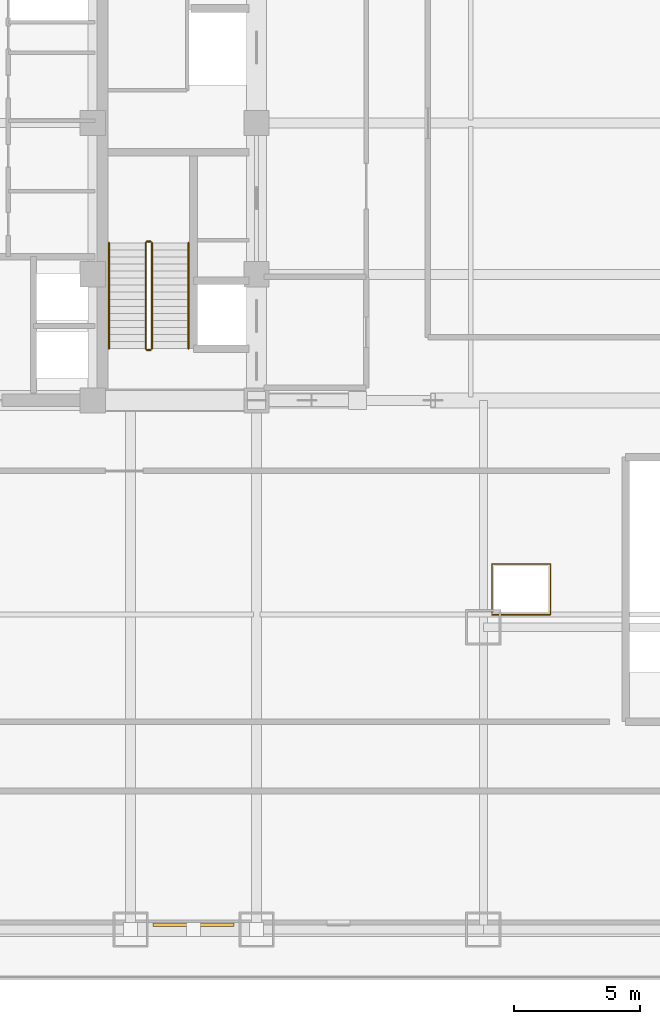
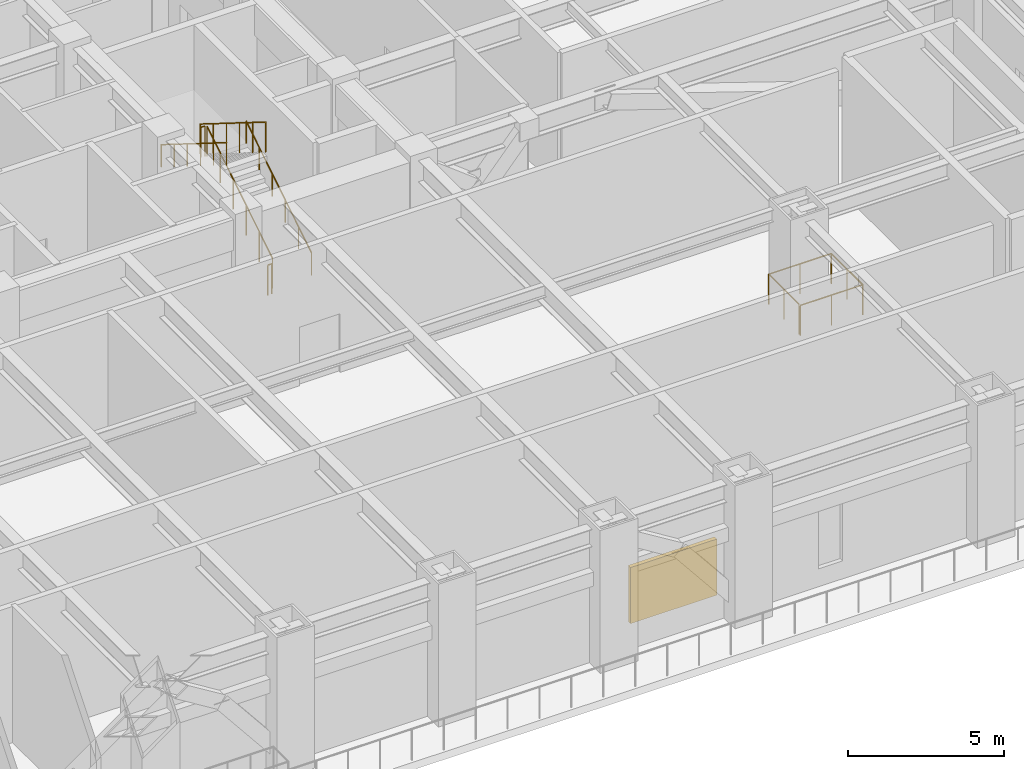
# One storey, part 18 of 21: 7 railings, 1 shading device.
"""IFC4 building model written with IfcOpenShell, lengths in metres."""

from ifc_helpers import new_model, si_unit, direction, frame, origin, origin_2d, place, context, subcontext, project, spatial, rectangle, circle, extrude, source, transform, mapped, material, layer, layer_set, type_object, element, save


model = new_model("IFC4")

# Units and contexts
model_context = context("Model", 3, precision=1e-05, world=origin(), true_north=direction((0.0, 1.0)))
body_context = subcontext(model_context, "Body", "Model", "MODEL_VIEW")
ifc_project = project(units=[si_unit("LENGTHUNIT", "METRE"), si_unit("AREAUNIT", "SQUARE_METRE"), si_unit("VOLUMEUNIT", "CUBIC_METRE"), si_unit("PLANEANGLEUNIT", "RADIAN"), si_unit("MASSUNIT", "GRAM", prefix="KILO")], contexts=[model_context])

# Site, building, storey
site_placement = place(None, origin())
site = spatial("IfcSite", under=ifc_project, at=site_placement, CompositionType="ELEMENT")
building_placement = place(site_placement, origin())
building = spatial("IfcBuilding", under=site, at=building_placement, Name="Khorayat Bourse Tower", CompositionType="ELEMENT")
storey_placement = place(building_placement, frame((0.0, 0.0, 27.0)))
storey = spatial("IfcBuildingStorey", under=building, at=storey_placement, Name="L05", CompositionType="ELEMENT", Elevation=27.0)

# Shading device
ifc_material_1 = material(Name="Anodised champagne aluminium", Category="aluminium")
ifc_layer = layer(ifc_material_1, 0.14990234375)
ifc_layer_set = layer_set([ifc_layer], Name="Anodised champagne aluminium")
shading_device_type = type_object("IfcShadingDeviceType", Name="SHD-PLANT-LOUVRE", PredefinedType="JALOUSIE", material=ifc_layer_set)
shared_shape_1 = source(origin(), body_context, "Body", "SweptSolid", [
    extrude(rectangle(XDim=3.199951171875, YDim=0.14990234375, at=origin_2d()), origin(), (0.0, 0.0, 1.0), 2.199951171875),
])
shading_device_placement = place(storey_placement, frame((8.5, -31.81005859375, 0.89990234375), z_axis=(0.0, 0.0, 1.0), x_axis=(1.0, 0.0, 0.0)))
element("IfcShadingDevice", 1, at=shading_device_placement, inside=storey, type_object=shading_device_type, Name="L05 Acoustic Plant Intake Louvre S-2", PredefinedType="JALOUSIE", context=body_context, shape_type="MappedRepresentation", body=[
    mapped(shared_shape_1, transform((0.0, 0.0, 0.0), scale=1.0)),
])

# Railings
ifc_material_2 = material(Name="Powder-coated steel balustrade", Category="steel")
railing_type_1 = type_object("IfcRailingType", Name="RLG-GUARD-1200", PredefinedType="GUARDRAIL", material=ifc_material_2)
shared_shape_2 = source(origin(), body_context, "Body", "SweptSolid", [
    extrude(circle(Radius=0.02392578125, at=origin_2d()), frame((0.0, 0.0, 1.17578125), z_axis=(-1.0, 0.0, 0.0), x_axis=(0.0, -1.0, 0.0)), (0.0, 0.0, 1.0), 0.150146484375),
    extrude(circle(Radius=0.02099609375, at=origin_2d()), origin(), (0.0, 0.0, 1.0), 1.15185546875),
    extrude(circle(Radius=0.02099609375, at=origin_2d()), frame((-0.150146484375, 0.0, 0.0)), (0.0, 0.0, 1.0), 1.15185546875),
])
for number, where, name in (
    (2, (6.800048828125, -4.699951171875, 2.800048828125), "L05 ST-3 stair guard 2"),
    (3, (6.800048828125, -9.0, 0.0), "L05 ST-3 stair guard 4"),
):
    element("IfcRailing", number, at=place(storey_placement, frame(where)), inside=storey, type_object=railing_type_1, Name=name, PredefinedType="GUARDRAIL", context=body_context, shape_type="MappedRepresentation", body=[
        mapped(shared_shape_2, transform((0.0, 0.0, 0.0), scale=1.0)),
    ])
shared_shape_3 = source(origin(), body_context, "Body", "SweptSolid", [
    extrude(circle(Radius=0.02392578125, at=origin_2d()), frame((0.0, 0.0, 1.17578125), z_axis=(0.0, 0.847995534698, 0.530003370869), x_axis=(-1.0, 0.0, 0.0)), (0.0, 0.0, 1.0), 4.952880859375),
    extrude(circle(Radius=0.02099609375, at=origin_2d()), origin(), (0.0, 0.0, 1.0), 1.15185546875),
    extrude(circle(Radius=0.02099609375, at=origin_2d()), frame((0.0, 0.840087890625, 0.52490234375)), (0.0, 0.0, 1.0), 1.15185546875),
    extrude(circle(Radius=0.02099609375, at=origin_2d()), frame((0.0, 1.679931640625, 1.050048828125)), (0.0, 0.0, 1.0), 1.15185546875),
    extrude(circle(Radius=0.02099609375, at=origin_2d()), frame((0.0, 2.52001953125, 1.574951171875)), (0.0, 0.0, 1.0), 1.15185546875),
    extrude(circle(Radius=0.02099609375, at=origin_2d()), frame((0.0, 3.35986328125, 2.10009765625)), (0.0, 0.0, 1.0), 1.15185546875),
    extrude(circle(Radius=0.02099609375, at=origin_2d()), frame((0.0, 4.199951171875, 2.625)), (0.0, 0.0, 1.0), 1.15185546875),
])
railing_1_placement = place(storey_placement, frame((6.85009765625, -8.949951171875, 0.175048828125)))
element("IfcRailing", 4, at=railing_1_placement, inside=storey, type_object=railing_type_1, Name="L05 ST-3 stair guard 1", PredefinedType="GUARDRAIL", context=body_context, shape_type="MappedRepresentation", body=[
    mapped(shared_shape_3, transform((0.0, 0.0, 0.0), scale=1.0)),
])
shared_shape_4 = source(origin(), body_context, "Body", "SweptSolid", [
    extrude(circle(Radius=0.02392578125, at=origin_2d()), frame((0.0, 0.0, 1.17578125), z_axis=(0.0, -0.847995534698, 0.530003370869), x_axis=(1.0, 0.0, 0.0)), (0.0, 0.0, 1.0), 4.952880859375),
    extrude(circle(Radius=0.02099609375, at=origin_2d()), origin(), (0.0, 0.0, 1.0), 1.15185546875),
    extrude(circle(Radius=0.02099609375, at=origin_2d()), frame((0.0, -0.840087890625, 0.52490234375)), (0.0, 0.0, 1.0), 1.15185546875),
    extrude(circle(Radius=0.02099609375, at=origin_2d()), frame((0.0, -1.679931640625, 1.050048828125)), (0.0, 0.0, 1.0), 1.15185546875),
    extrude(circle(Radius=0.02099609375, at=origin_2d()), frame((0.0, -2.52001953125, 1.574951171875)), (0.0, 0.0, 1.0), 1.15185546875),
    extrude(circle(Radius=0.02099609375, at=origin_2d()), frame((0.0, -3.35986328125, 2.10009765625)), (0.0, 0.0, 1.0), 1.15185546875),
    extrude(circle(Radius=0.02099609375, at=origin_2d()), frame((0.0, -4.199951171875, 2.625)), (0.0, 0.0, 1.0), 1.15185546875),
])
railing_2_placement = place(storey_placement, frame((6.60009765625, -4.75, 2.97509765625)))
element("IfcRailing", 5, at=railing_2_placement, inside=storey, type_object=railing_type_1, Name="L05 ST-3 stair guard 3", PredefinedType="GUARDRAIL", context=body_context, shape_type="MappedRepresentation", body=[
    mapped(shared_shape_4, transform((0.0, 0.0, 0.0), scale=1.0)),
])
ifc_material_3 = material(Name="Brushed bronze stainless-steel handrail", Category="steel")
railing_type_2 = type_object("IfcRailingType", Name="RLG-HAND-900", PredefinedType="HANDRAIL", material=ifc_material_3)
shared_shape_5 = source(origin(), body_context, "Body", "SweptSolid", [
    extrude(circle(Radius=0.02392578125, at=origin_2d()), frame((0.0, 0.0, 0.8759765625), z_axis=(0.0, 0.847995534698, 0.530003370869), x_axis=(-1.0, 0.0, 0.0)), (0.0, 0.0, 1.0), 4.952880859375),
    extrude(circle(Radius=0.02099609375, at=origin_2d()), origin(), (0.0, 0.0, 1.0), 0.851806640625),
    extrude(circle(Radius=0.02099609375, at=origin_2d()), frame((0.0, 0.840087890625, 0.52490234375)), (0.0, 0.0, 1.0), 0.851806640625),
    extrude(circle(Radius=0.02099609375, at=origin_2d()), frame((0.0, 1.679931640625, 1.050048828125)), (0.0, 0.0, 1.0), 0.851806640625),
    extrude(circle(Radius=0.02099609375, at=origin_2d()), frame((0.0, 2.52001953125, 1.574951171875)), (0.0, 0.0, 1.0), 0.851806640625),
    extrude(circle(Radius=0.02099609375, at=origin_2d()), frame((0.0, 3.35986328125, 2.10009765625)), (0.0, 0.0, 1.0), 0.851806640625),
    extrude(circle(Radius=0.02099609375, at=origin_2d()), frame((0.0, 4.199951171875, 2.625)), (0.0, 0.0, 1.0), 0.851806640625),
])
railing_3_placement = place(storey_placement, frame((8.300048828125, -8.949951171875, 0.175048828125)))
element("IfcRailing", 6, at=railing_3_placement, inside=storey, type_object=railing_type_2, Name="L05 ST-3 stair handrail 1", PredefinedType="HANDRAIL", context=body_context, shape_type="MappedRepresentation", body=[
    mapped(shared_shape_5, transform((0.0, 0.0, 0.0), scale=1.0)),
])
shared_shape_6 = source(origin(), body_context, "Body", "SweptSolid", [
    extrude(circle(Radius=0.02392578125, at=origin_2d()), frame((0.0, 0.0, 0.8759765625), z_axis=(0.0, -0.847995534698, 0.530003370869), x_axis=(1.0, 0.0, 0.0)), (0.0, 0.0, 1.0), 4.952880859375),
    extrude(circle(Radius=0.02099609375, at=origin_2d()), origin(), (0.0, 0.0, 1.0), 0.851806640625),
    extrude(circle(Radius=0.02099609375, at=origin_2d()), frame((0.0, -0.840087890625, 0.52490234375)), (0.0, 0.0, 1.0), 0.851806640625),
    extrude(circle(Radius=0.02099609375, at=origin_2d()), frame((0.0, -1.679931640625, 1.050048828125)), (0.0, 0.0, 1.0), 0.851806640625),
    extrude(circle(Radius=0.02099609375, at=origin_2d()), frame((0.0, -2.52001953125, 1.574951171875)), (0.0, 0.0, 1.0), 0.851806640625),
    extrude(circle(Radius=0.02099609375, at=origin_2d()), frame((0.0, -3.35986328125, 2.10009765625)), (0.0, 0.0, 1.0), 0.851806640625),
    extrude(circle(Radius=0.02099609375, at=origin_2d()), frame((0.0, -4.199951171875, 2.625)), (0.0, 0.0, 1.0), 0.851806640625),
])
railing_4_placement = place(storey_placement, frame((5.14990234375, -4.75, 2.97509765625)))
element("IfcRailing", 7, at=railing_4_placement, inside=storey, type_object=railing_type_2, Name="L05 ST-3 stair handrail 2", PredefinedType="HANDRAIL", context=body_context, shape_type="MappedRepresentation", body=[
    mapped(shared_shape_6, transform((0.0, 0.0, 0.0), scale=1.0)),
])
shared_shape_7 = source(origin(), body_context, "Body", "SweptSolid", [
    extrude(circle(Radius=0.02392578125, at=origin_2d()), frame((0.0, 0.0, 1.17578125), z_axis=(1.0, 0.0, 0.0), x_axis=(0.0, 1.0, 0.0)), (0.0, 0.0, 1.0), 2.31982421875),
    extrude(circle(Radius=0.02392578125, at=origin_2d()), frame((2.31982421875, 0.0, 1.17578125), z_axis=(0.0, 1.0, 0.0), x_axis=(-1.0, 0.0, 0.0)), (0.0, 0.0, 1.0), 2.02001953125),
    extrude(circle(Radius=0.02392578125, at=origin_2d()), frame((2.31982421875, 2.02001953125, 1.17578125), z_axis=(-1.0, 0.0, 0.0), x_axis=(0.0, -1.0, 0.0)), (0.0, 0.0, 1.0), 2.31982421875),
    extrude(circle(Radius=0.02392578125, at=origin_2d()), frame((0.0, 2.02001953125, 1.17578125), z_axis=(0.0, -1.0, 0.0), x_axis=(1.0, 0.0, 0.0)), (0.0, 0.0, 1.0), 1.93994140625),
    extrude(circle(Radius=0.02099609375, at=origin_2d()), origin(), (0.0, 0.0, 1.0), 1.15185546875),
    extrude(circle(Radius=0.02099609375, at=origin_2d()), frame((1.159912109375, 0.0, 0.0)), (0.0, 0.0, 1.0), 1.15185546875),
    extrude(circle(Radius=0.02099609375, at=origin_2d()), frame((2.31982421875, 0.0, 0.0)), (0.0, 0.0, 1.0), 1.15185546875),
    extrude(circle(Radius=0.02099609375, at=origin_2d()), frame((2.31982421875, 1.010009765625, 0.0)), (0.0, 0.0, 1.0), 1.15185546875),
    extrude(circle(Radius=0.02099609375, at=origin_2d()), frame((2.31982421875, 2.02001953125, 0.0)), (0.0, 0.0, 1.0), 1.15185546875),
    extrude(circle(Radius=0.02099609375, at=origin_2d()), frame((1.159912109375, 2.02001953125, 0.0)), (0.0, 0.0, 1.0), 1.15185546875),
    extrude(circle(Radius=0.02099609375, at=origin_2d()), frame((0.0, 2.02001953125, 0.0)), (0.0, 0.0, 1.0), 1.15185546875),
    extrude(circle(Radius=0.02099609375, at=origin_2d()), frame((0.0, 1.050048828125, 0.0)), (0.0, 0.0, 1.0), 1.15185546875),
    extrude(circle(Radius=0.02099609375, at=origin_2d()), frame((0.0, 0.080078125, 0.0)), (0.0, 0.0, 1.0), 1.15185546875),
])
railing_5_placement = place(storey_placement, frame((20.340087890625, -19.510009765625, 0.0)))
element("IfcRailing", 8, at=railing_5_placement, inside=storey, type_object=railing_type_1, Name="L05 Shuttle Lift Overrun Guardrail 2", PredefinedType="GUARDRAIL", context=body_context, shape_type="MappedRepresentation", body=[
    mapped(shared_shape_7, transform((0.0, 0.0, 0.0), scale=1.0)),
])

save(model, "model.ifc")
